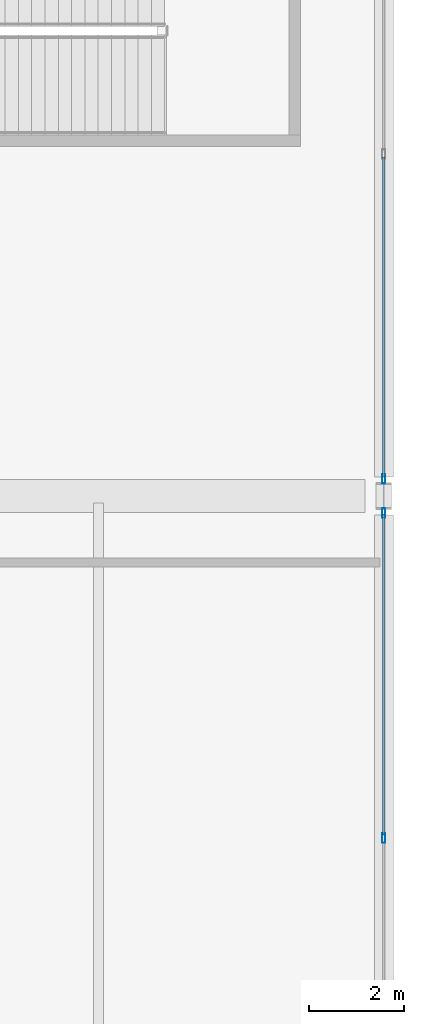
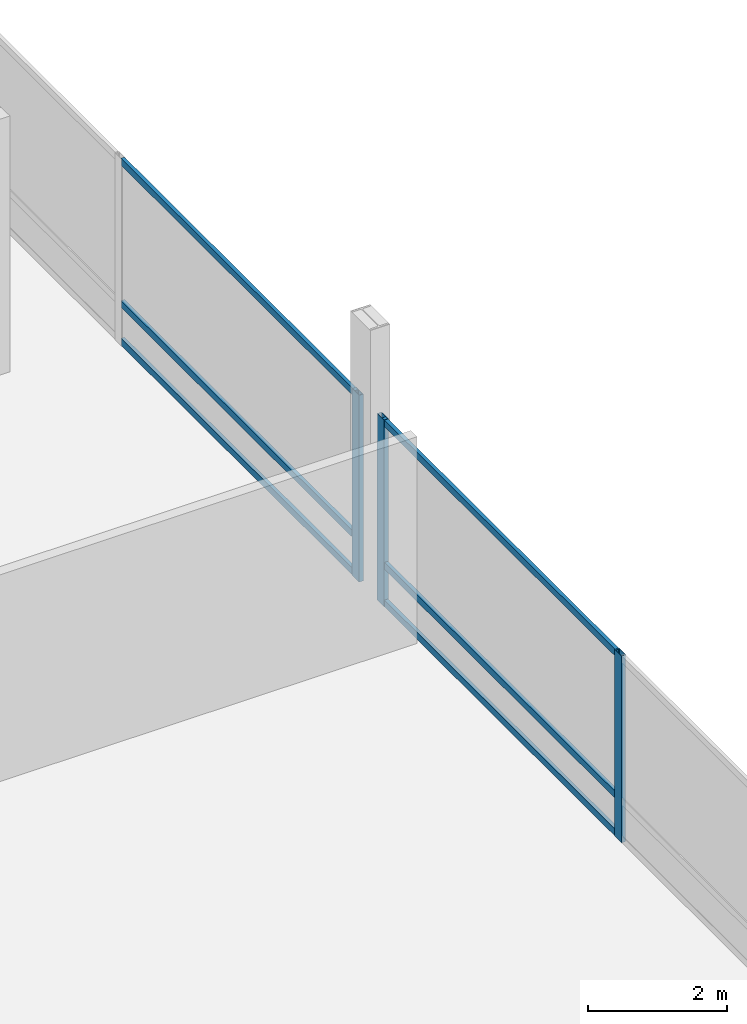
# One storey, part 117 of 220: 9 members, 2 elements without a shape of their own.
"""IFC4 building model written with IfcOpenShell, lengths in metres."""

from ifc_helpers import new_model, si_unit, direction, frame, origin, origin_2d, place, context, subcontext, project, spatial, hollow_rectangle, extrude, material, material_profile, profile_set, type_object, element, aggregate, save


model = new_model("IFC4")

# Units and contexts
model_context = context("Model", 3, precision=1e-05, world=origin(), true_north=direction((0.0, 1.0)))
body_context = subcontext(model_context, "Body", "Model", "MODEL_VIEW")
ifc_project = project(units=[si_unit("LENGTHUNIT", "METRE"), si_unit("AREAUNIT", "SQUARE_METRE"), si_unit("VOLUMEUNIT", "CUBIC_METRE"), si_unit("PLANEANGLEUNIT", "RADIAN"), si_unit("MASSUNIT", "GRAM", prefix="KILO")], contexts=[model_context])

# Site, building, storey
site_placement = place(None, origin())
site = spatial("IfcSite", under=ifc_project, at=site_placement, CompositionType="ELEMENT")
building_placement = place(site_placement, origin())
building = spatial("IfcBuilding", under=site, at=building_placement, Name="Cendralis Lancet Convention Centre", CompositionType="ELEMENT")
storey_placement = place(building_placement, frame((0.0, 0.0, 5.39990234375)))
storey = spatial("IfcBuildingStorey", under=building, at=storey_placement, Name="L01", CompositionType="ELEMENT", Elevation=5.39990234375)

# Curtain wall, members
ifc_material = material(Name="Anodised bronze architectural aluminium", Category="aluminium")
curtain_wall_type = type_object("IfcCurtainWallType", Name="ARC-CW-BL02", PredefinedType="USERDEFINED", material=ifc_material)
curtain_wall_1_placement = place(storey_placement, origin())
curtain_wall_1 = element("IfcCurtainWall", 1, at=curtain_wall_1_placement, inside=storey, type_object=curtain_wall_type, Name="L01 Curtain Wall CW-BL2 #153", ObjectType="CURTAIN WALL", PredefinedType="USERDEFINED")
ifc_material_profile_1 = material_profile(ifc_material, hollow_rectangle(XDim=0.070068359375, YDim=0.199951171875, WallThickness=0.0048828125, at=origin_2d()), Name="AL-MULL 70x200x5.0")
ifc_profile_set_1 = profile_set([ifc_material_profile_1], Name="Anodised bronze architectural aluminium")
member_type_1 = type_object("IfcMemberType", Name="ARC-CW-ML02", PredefinedType="MULLION", material=ifc_profile_set_1)
member_1_placement = place(storey_placement, frame((208.800048828125, 122.0400390625, 0.0), z_axis=(0.0, 0.0, 1.0), x_axis=(1.0, 0.0, 0.0)))
member_1 = element("IfcMember", 2, at=member_1_placement, type_object=member_type_1, Name="Mullion CW2-CW-BL2-L01-153-M0", PredefinedType="MULLION", context=body_context, shape_type="SweptSolid", body=[
    extrude(hollow_rectangle(XDim=0.070068359375, YDim=0.199951171875, WallThickness=0.0048828125, at=origin_2d()), origin(), (0.0, 0.0, 1.0), 3.28515625),
])
member_2_placement = place(storey_placement, frame((208.800048828125, 115.199951171875, 0.0), z_axis=(0.0, 0.0, 1.0), x_axis=(1.0, 0.0, 0.0)))
member_2 = element("IfcMember", 3, at=member_2_placement, type_object=member_type_1, Name="Mullion CW2-CW-BL2-L01-153-M1", PredefinedType="MULLION", context=body_context, shape_type="SweptSolid", body=[
    extrude(hollow_rectangle(XDim=0.070068359375, YDim=0.199951171875, WallThickness=0.0048828125, at=origin_2d()), origin(), (0.0, 0.0, 1.0), 3.28515625),
])

# Curtain wall, member
curtain_wall_2_placement = place(storey_placement, origin())
curtain_wall_2 = element("IfcCurtainWall", 4, at=curtain_wall_2_placement, inside=storey, type_object=curtain_wall_type, Name="L01 Curtain Wall CW-BL2 #154", ObjectType="CURTAIN WALL", PredefinedType="USERDEFINED")
member_3_placement = place(storey_placement, frame((208.800048828125, 122.760009765625, 0.0), z_axis=(0.0, 0.0, 1.0), x_axis=(1.0, 0.0, 0.0)))
member_3 = element("IfcMember", 5, at=member_3_placement, type_object=member_type_1, Name="Mullion CW2-CW-BL2-L01-154-M2", PredefinedType="MULLION", context=body_context, shape_type="SweptSolid", body=[
    extrude(hollow_rectangle(XDim=0.070068359375, YDim=0.199951171875, WallThickness=0.0048828125, at=origin_2d()), origin(), (0.0, 0.0, 1.0), 3.28515625),
])

# Member
ifc_material_profile_2 = material_profile(ifc_material, hollow_rectangle(XDim=0.06005859375, YDim=0.1201171875, WallThickness=0.00390625, at=origin_2d()), Name="AL-TRAN 60x120x4.0")
ifc_profile_set_2 = profile_set([ifc_material_profile_2], Name="Anodised bronze architectural aluminium")
member_type_2 = type_object("IfcMemberType", Name="ARC-CW-TR01", PredefinedType="USERDEFINED", material=ifc_profile_set_2)
member_4_placement = place(storey_placement, frame((208.800048828125, 122.0048828125, 0.06005859375), z_axis=(0.0, -1.0, 0.0), x_axis=(1.0, 0.0, 0.0)))
member_4 = element("IfcMember", 6, at=member_4_placement, type_object=member_type_2, Name="Transom CW2-CW-BL2-L01-153-T0BOT", ObjectType="TRANSOM", PredefinedType="USERDEFINED", context=body_context, shape_type="SweptSolid", body=[
    extrude(hollow_rectangle(XDim=0.06005859375, YDim=0.1201171875, WallThickness=0.00390625, at=origin_2d()), origin(), (0.0, 0.0, 1.0), 6.73486328125),
])

member_5_placement = place(storey_placement, frame((208.800048828125, 122.0048828125, 0.722900390625), z_axis=(0.0, -1.0, 0.0), x_axis=(1.0, 0.0, 0.0)))
member_5 = element("IfcMember", 7, at=member_5_placement, type_object=member_type_2, Name="Transom CW2-CW-BL2-L01-153-T0MID", ObjectType="TRANSOM", PredefinedType="USERDEFINED", context=body_context, shape_type="SweptSolid", body=[
    extrude(hollow_rectangle(XDim=0.06005859375, YDim=0.1201171875, WallThickness=0.00390625, at=origin_2d()), origin(), (0.0, 0.0, 1.0), 6.73486328125),
])

member_6_placement = place(storey_placement, frame((208.800048828125, 122.0048828125, 3.22509765625), z_axis=(0.0, -1.0, 0.0), x_axis=(1.0, 0.0, 0.0)))
member_6 = element("IfcMember", 8, at=member_6_placement, type_object=member_type_2, Name="Transom CW2-CW-BL2-L01-153-T0TOP", ObjectType="TRANSOM", PredefinedType="USERDEFINED", context=body_context, shape_type="SweptSolid", body=[
    extrude(hollow_rectangle(XDim=0.06005859375, YDim=0.1201171875, WallThickness=0.00390625, at=origin_2d()), origin(), (0.0, 0.0, 1.0), 6.73486328125),
])

aggregate(curtain_wall_1, [member_1, member_2, member_4, member_5, member_6])

member_7_placement = place(storey_placement, frame((208.800048828125, 129.530029296875, 0.06005859375), z_axis=(0.0, -1.0, 0.0), x_axis=(1.0, 0.0, 0.0)))
member_7 = element("IfcMember", 9, at=member_7_placement, type_object=member_type_2, Name="Transom CW2-CW-BL2-L01-154-T1BOT", ObjectType="TRANSOM", PredefinedType="USERDEFINED", context=body_context, shape_type="SweptSolid", body=[
    extrude(hollow_rectangle(XDim=0.06005859375, YDim=0.1201171875, WallThickness=0.00390625, at=origin_2d()), origin(), (0.0, 0.0, 1.0), 6.735107421875),
])

member_8_placement = place(storey_placement, frame((208.800048828125, 129.530029296875, 0.722900390625), z_axis=(0.0, -1.0, 0.0), x_axis=(1.0, 0.0, 0.0)))
member_8 = element("IfcMember", 10, at=member_8_placement, type_object=member_type_2, Name="Transom CW2-CW-BL2-L01-154-T1MID", ObjectType="TRANSOM", PredefinedType="USERDEFINED", context=body_context, shape_type="SweptSolid", body=[
    extrude(hollow_rectangle(XDim=0.06005859375, YDim=0.1201171875, WallThickness=0.00390625, at=origin_2d()), origin(), (0.0, 0.0, 1.0), 6.735107421875),
])

member_9_placement = place(storey_placement, frame((208.800048828125, 129.530029296875, 3.22509765625), z_axis=(0.0, -1.0, 0.0), x_axis=(1.0, 0.0, 0.0)))
member_9 = element("IfcMember", 11, at=member_9_placement, type_object=member_type_2, Name="Transom CW2-CW-BL2-L01-154-T1TOP", ObjectType="TRANSOM", PredefinedType="USERDEFINED", context=body_context, shape_type="SweptSolid", body=[
    extrude(hollow_rectangle(XDim=0.06005859375, YDim=0.1201171875, WallThickness=0.00390625, at=origin_2d()), origin(), (0.0, 0.0, 1.0), 6.735107421875),
])

aggregate(curtain_wall_2, [member_3, member_7, member_8, member_9])

save(model, "model.ifc")
